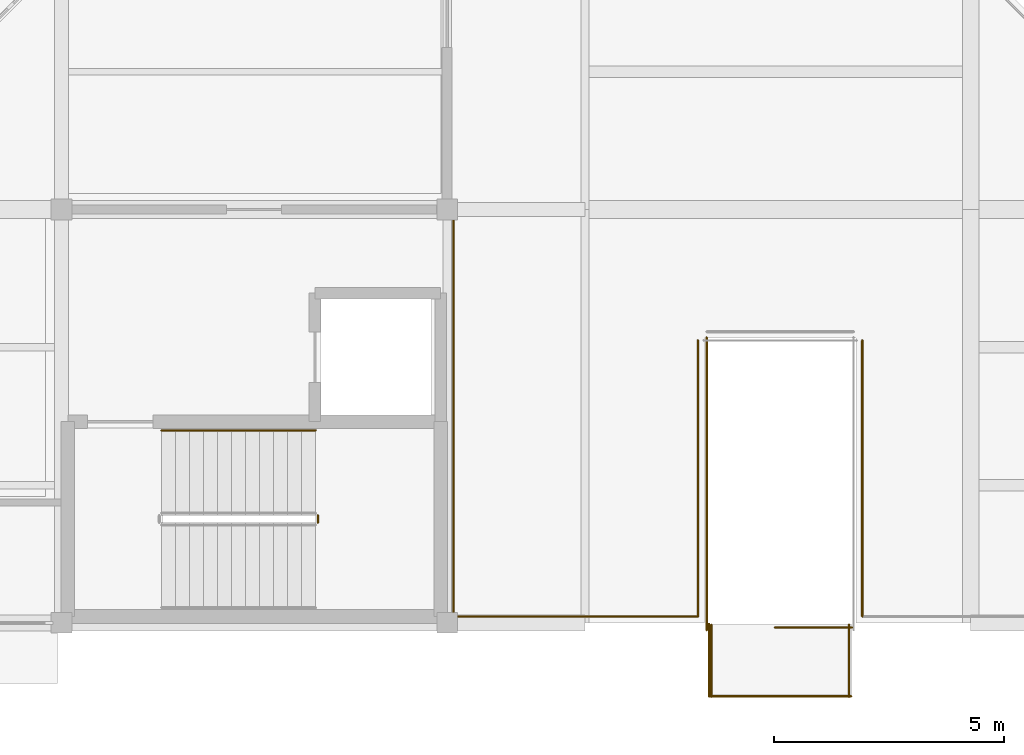
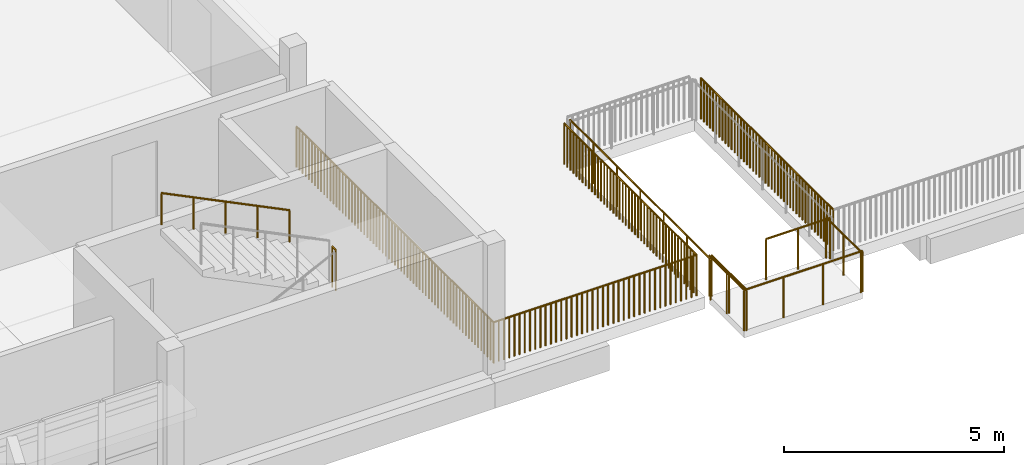
# One storey, part 29 of 42: 11 railings.
"""IFC4 building model written with IfcOpenShell, lengths in metres."""

from ifc_helpers import new_model, si_unit, direction, frame, origin, origin_2d, place, context, subcontext, project, spatial, circle, extrude, material, type_object, element, save


model = new_model("IFC4")

# Units and contexts
model_context = context("Model", 3, precision=1e-05, world=origin(), true_north=direction((0.0, 1.0)))
body_context = subcontext(model_context, "Body", "Model", "MODEL_VIEW")
ifc_project = project(units=[si_unit("LENGTHUNIT", "METRE"), si_unit("AREAUNIT", "SQUARE_METRE"), si_unit("VOLUMEUNIT", "CUBIC_METRE"), si_unit("PLANEANGLEUNIT", "RADIAN"), si_unit("MASSUNIT", "GRAM", prefix="KILO")], contexts=[model_context])

# Site, building, storey
site_placement = place(None, origin())
site = spatial("IfcSite", under=ifc_project, at=site_placement, CompositionType="ELEMENT")
building_placement = place(site_placement, origin())
building = spatial("IfcBuilding", under=site, at=building_placement, Name="Vanh Quang Courtyard School", CompositionType="ELEMENT")
storey_placement = place(building_placement, frame((0.0, 0.0, 15.0)))
storey = spatial("IfcBuildingStorey", under=building, at=storey_placement, Name="L04", CompositionType="ELEMENT", Elevation=15.0)

# Railings
ifc_material_1 = material(Name="Galvanised painted steel EN 10025-2 S355J2", Category="steel")
railing_type_1 = type_object("IfcRailingType", Name="RAIL-GUARD-1150", PredefinedType="BALUSTRADE", material=ifc_material_1)
railing_1_placement = place(storey_placement, frame((74.5400390625, 32.5400390625, 0.0)))
element("IfcRailing", 1, at=railing_1_placement, inside=storey, type_object=railing_type_1, Name="Railing GR-01 (L04)", PredefinedType="BALUSTRADE", context=body_context, shape_type="SweptSolid", body=[
    extrude(circle(Radius=0.02392578125, at=origin_2d()), frame((0.0, 0.0, 1.1259765625), z_axis=(0.0, 1.0, 0.0), x_axis=(-1.0, 0.0, 0.0)), (0.0, 0.0, 1.0), 8.940185546875),
    extrude(circle(Radius=0.02099609375, at=origin_2d()), origin(), (0.0, 0.0, 1.0), 1.101806640625),
    extrude(circle(Radius=0.02099609375, at=origin_2d()), frame((0.0, 0.1396484375, 0.0)), (0.0, 0.0, 1.0), 1.101806640625),
    extrude(circle(Radius=0.02099609375, at=origin_2d()), frame((0.0, 0.279296875, 0.0)), (0.0, 0.0, 1.0), 1.101806640625),
    extrude(circle(Radius=0.02099609375, at=origin_2d()), frame((0.0, 0.419189453125, 0.0)), (0.0, 0.0, 1.0), 1.101806640625),
    extrude(circle(Radius=0.02099609375, at=origin_2d()), frame((0.0, 0.558837890625, 0.0)), (0.0, 0.0, 1.0), 1.101806640625),
    extrude(circle(Radius=0.02099609375, at=origin_2d()), frame((0.0, 0.698486328125, 0.0)), (0.0, 0.0, 1.0), 1.101806640625),
    extrude(circle(Radius=0.02099609375, at=origin_2d()), frame((0.0, 0.838134765625, 0.0)), (0.0, 0.0, 1.0), 1.101806640625),
    extrude(circle(Radius=0.02099609375, at=origin_2d()), frame((0.0, 0.977783203125, 0.0)), (0.0, 0.0, 1.0), 1.101806640625),
    extrude(circle(Radius=0.02099609375, at=origin_2d()), frame((0.0, 1.117431640625, 0.0)), (0.0, 0.0, 1.0), 1.101806640625),
    extrude(circle(Radius=0.02099609375, at=origin_2d()), frame((0.0, 1.25732421875, 0.0)), (0.0, 0.0, 1.0), 1.101806640625),
    extrude(circle(Radius=0.02099609375, at=origin_2d()), frame((0.0, 1.39697265625, 0.0)), (0.0, 0.0, 1.0), 1.101806640625),
    extrude(circle(Radius=0.02099609375, at=origin_2d()), frame((0.0, 1.53662109375, 0.0)), (0.0, 0.0, 1.0), 1.101806640625),
    extrude(circle(Radius=0.02099609375, at=origin_2d()), frame((0.0, 1.67626953125, 0.0)), (0.0, 0.0, 1.0), 1.101806640625),
    extrude(circle(Radius=0.02099609375, at=origin_2d()), frame((0.0, 1.81591796875, 0.0)), (0.0, 0.0, 1.0), 1.101806640625),
    extrude(circle(Radius=0.02099609375, at=origin_2d()), frame((0.0, 1.95556640625, 0.0)), (0.0, 0.0, 1.0), 1.101806640625),
    extrude(circle(Radius=0.02099609375, at=origin_2d()), frame((0.0, 2.095458984375, 0.0)), (0.0, 0.0, 1.0), 1.101806640625),
    extrude(circle(Radius=0.02099609375, at=origin_2d()), frame((0.0, 2.235107421875, 0.0)), (0.0, 0.0, 1.0), 1.101806640625),
    extrude(circle(Radius=0.02099609375, at=origin_2d()), frame((0.0, 2.374755859375, 0.0)), (0.0, 0.0, 1.0), 1.101806640625),
    extrude(circle(Radius=0.02099609375, at=origin_2d()), frame((0.0, 2.514404296875, 0.0)), (0.0, 0.0, 1.0), 1.101806640625),
    extrude(circle(Radius=0.02099609375, at=origin_2d()), frame((0.0, 2.654052734375, 0.0)), (0.0, 0.0, 1.0), 1.101806640625),
    extrude(circle(Radius=0.02099609375, at=origin_2d()), frame((0.0, 2.793701171875, 0.0)), (0.0, 0.0, 1.0), 1.101806640625),
    extrude(circle(Radius=0.02099609375, at=origin_2d()), frame((0.0, 2.93359375, 0.0)), (0.0, 0.0, 1.0), 1.101806640625),
    extrude(circle(Radius=0.02099609375, at=origin_2d()), frame((0.0, 3.0732421875, 0.0)), (0.0, 0.0, 1.0), 1.101806640625),
    extrude(circle(Radius=0.02099609375, at=origin_2d()), frame((0.0, 3.212890625, 0.0)), (0.0, 0.0, 1.0), 1.101806640625),
    extrude(circle(Radius=0.02099609375, at=origin_2d()), frame((0.0, 3.3525390625, 0.0)), (0.0, 0.0, 1.0), 1.101806640625),
    extrude(circle(Radius=0.02099609375, at=origin_2d()), frame((0.0, 3.4921875, 0.0)), (0.0, 0.0, 1.0), 1.101806640625),
    extrude(circle(Radius=0.02099609375, at=origin_2d()), frame((0.0, 3.6318359375, 0.0)), (0.0, 0.0, 1.0), 1.101806640625),
    extrude(circle(Radius=0.02099609375, at=origin_2d()), frame((0.0, 3.771728515625, 0.0)), (0.0, 0.0, 1.0), 1.101806640625),
    extrude(circle(Radius=0.02099609375, at=origin_2d()), frame((0.0, 3.911376953125, 0.0)), (0.0, 0.0, 1.0), 1.101806640625),
    extrude(circle(Radius=0.02099609375, at=origin_2d()), frame((0.0, 4.051025390625, 0.0)), (0.0, 0.0, 1.0), 1.101806640625),
    extrude(circle(Radius=0.02099609375, at=origin_2d()), frame((0.0, 4.190673828125, 0.0)), (0.0, 0.0, 1.0), 1.101806640625),
    extrude(circle(Radius=0.02099609375, at=origin_2d()), frame((0.0, 4.330322265625, 0.0)), (0.0, 0.0, 1.0), 1.101806640625),
    extrude(circle(Radius=0.02099609375, at=origin_2d()), frame((0.0, 4.47021484375, 0.0)), (0.0, 0.0, 1.0), 1.101806640625),
    extrude(circle(Radius=0.02099609375, at=origin_2d()), frame((0.0, 4.60986328125, 0.0)), (0.0, 0.0, 1.0), 1.101806640625),
    extrude(circle(Radius=0.02099609375, at=origin_2d()), frame((0.0, 4.74951171875, 0.0)), (0.0, 0.0, 1.0), 1.101806640625),
    extrude(circle(Radius=0.02099609375, at=origin_2d()), frame((0.0, 4.88916015625, 0.0)), (0.0, 0.0, 1.0), 1.101806640625),
    extrude(circle(Radius=0.02099609375, at=origin_2d()), frame((0.0, 5.02880859375, 0.0)), (0.0, 0.0, 1.0), 1.101806640625),
    extrude(circle(Radius=0.02099609375, at=origin_2d()), frame((0.0, 5.16845703125, 0.0)), (0.0, 0.0, 1.0), 1.101806640625),
    extrude(circle(Radius=0.02099609375, at=origin_2d()), frame((0.0, 5.308349609375, 0.0)), (0.0, 0.0, 1.0), 1.101806640625),
    extrude(circle(Radius=0.02099609375, at=origin_2d()), frame((0.0, 5.447998046875, 0.0)), (0.0, 0.0, 1.0), 1.101806640625),
    extrude(circle(Radius=0.02099609375, at=origin_2d()), frame((0.0, 5.587646484375, 0.0)), (0.0, 0.0, 1.0), 1.101806640625),
    extrude(circle(Radius=0.02099609375, at=origin_2d()), frame((0.0, 5.727294921875, 0.0)), (0.0, 0.0, 1.0), 1.101806640625),
    extrude(circle(Radius=0.02099609375, at=origin_2d()), frame((0.0, 5.866943359375, 0.0)), (0.0, 0.0, 1.0), 1.101806640625),
    extrude(circle(Radius=0.02099609375, at=origin_2d()), frame((0.0, 6.006591796875, 0.0)), (0.0, 0.0, 1.0), 1.101806640625),
    extrude(circle(Radius=0.02099609375, at=origin_2d()), frame((0.0, 6.146484375, 0.0)), (0.0, 0.0, 1.0), 1.101806640625),
    extrude(circle(Radius=0.02099609375, at=origin_2d()), frame((0.0, 6.2861328125, 0.0)), (0.0, 0.0, 1.0), 1.101806640625),
    extrude(circle(Radius=0.02099609375, at=origin_2d()), frame((0.0, 6.42578125, 0.0)), (0.0, 0.0, 1.0), 1.101806640625),
    extrude(circle(Radius=0.02099609375, at=origin_2d()), frame((0.0, 6.5654296875, 0.0)), (0.0, 0.0, 1.0), 1.101806640625),
    extrude(circle(Radius=0.02099609375, at=origin_2d()), frame((0.0, 6.705078125, 0.0)), (0.0, 0.0, 1.0), 1.101806640625),
    extrude(circle(Radius=0.02099609375, at=origin_2d()), frame((0.0, 6.8447265625, 0.0)), (0.0, 0.0, 1.0), 1.101806640625),
    extrude(circle(Radius=0.02099609375, at=origin_2d()), frame((0.0, 6.984619140625, 0.0)), (0.0, 0.0, 1.0), 1.101806640625),
    extrude(circle(Radius=0.02099609375, at=origin_2d()), frame((0.0, 7.124267578125, 0.0)), (0.0, 0.0, 1.0), 1.101806640625),
    extrude(circle(Radius=0.02099609375, at=origin_2d()), frame((0.0, 7.263916015625, 0.0)), (0.0, 0.0, 1.0), 1.101806640625),
    extrude(circle(Radius=0.02099609375, at=origin_2d()), frame((0.0, 7.403564453125, 0.0)), (0.0, 0.0, 1.0), 1.101806640625),
    extrude(circle(Radius=0.02099609375, at=origin_2d()), frame((0.0, 7.543212890625, 0.0)), (0.0, 0.0, 1.0), 1.101806640625),
    extrude(circle(Radius=0.02099609375, at=origin_2d()), frame((0.0, 7.682861328125, 0.0)), (0.0, 0.0, 1.0), 1.101806640625),
    extrude(circle(Radius=0.02099609375, at=origin_2d()), frame((0.0, 7.82275390625, 0.0)), (0.0, 0.0, 1.0), 1.101806640625),
    extrude(circle(Radius=0.02099609375, at=origin_2d()), frame((0.0, 7.96240234375, 0.0)), (0.0, 0.0, 1.0), 1.101806640625),
    extrude(circle(Radius=0.02099609375, at=origin_2d()), frame((0.0, 8.10205078125, 0.0)), (0.0, 0.0, 1.0), 1.101806640625),
    extrude(circle(Radius=0.02099609375, at=origin_2d()), frame((0.0, 8.24169921875, 0.0)), (0.0, 0.0, 1.0), 1.101806640625),
    extrude(circle(Radius=0.02099609375, at=origin_2d()), frame((0.0, 8.38134765625, 0.0)), (0.0, 0.0, 1.0), 1.101806640625),
    extrude(circle(Radius=0.02099609375, at=origin_2d()), frame((0.0, 8.52099609375, 0.0)), (0.0, 0.0, 1.0), 1.101806640625),
    extrude(circle(Radius=0.02099609375, at=origin_2d()), frame((0.0, 8.660888671875, 0.0)), (0.0, 0.0, 1.0), 1.101806640625),
    extrude(circle(Radius=0.02099609375, at=origin_2d()), frame((0.0, 8.800537109375, 0.0)), (0.0, 0.0, 1.0), 1.101806640625),
    extrude(circle(Radius=0.02099609375, at=origin_2d()), frame((0.0, 8.940185546875, 0.0)), (0.0, 0.0, 1.0), 1.101806640625),
])
railing_2_placement = place(storey_placement, frame((83.43994140625, 32.5400390625, 0.0)))
element("IfcRailing", 2, at=railing_2_placement, inside=storey, type_object=railing_type_1, Name="Railing GR-01 (L04)", PredefinedType="BALUSTRADE", context=body_context, shape_type="SweptSolid", body=[
    extrude(circle(Radius=0.02392578125, at=origin_2d()), frame((0.0, 0.0, 1.1259765625), z_axis=(0.0, 1.0, 0.0), x_axis=(-1.0, 0.0, 0.0)), (0.0, 0.0, 1.0), 6.010009765625),
    extrude(circle(Radius=0.02099609375, at=origin_2d()), origin(), (0.0, 0.0, 1.0), 1.101806640625),
    extrude(circle(Radius=0.02099609375, at=origin_2d()), frame((0.0, 0.1396484375, 0.0)), (0.0, 0.0, 1.0), 1.101806640625),
    extrude(circle(Radius=0.02099609375, at=origin_2d()), frame((0.0, 0.279541015625, 0.0)), (0.0, 0.0, 1.0), 1.101806640625),
    extrude(circle(Radius=0.02099609375, at=origin_2d()), frame((0.0, 0.419189453125, 0.0)), (0.0, 0.0, 1.0), 1.101806640625),
    extrude(circle(Radius=0.02099609375, at=origin_2d()), frame((0.0, 0.55908203125, 0.0)), (0.0, 0.0, 1.0), 1.101806640625),
    extrude(circle(Radius=0.02099609375, at=origin_2d()), frame((0.0, 0.69873046875, 0.0)), (0.0, 0.0, 1.0), 1.101806640625),
    extrude(circle(Radius=0.02099609375, at=origin_2d()), frame((0.0, 0.838623046875, 0.0)), (0.0, 0.0, 1.0), 1.101806640625),
    extrude(circle(Radius=0.02099609375, at=origin_2d()), frame((0.0, 0.978271484375, 0.0)), (0.0, 0.0, 1.0), 1.101806640625),
    extrude(circle(Radius=0.02099609375, at=origin_2d()), frame((0.0, 1.1181640625, 0.0)), (0.0, 0.0, 1.0), 1.101806640625),
    extrude(circle(Radius=0.02099609375, at=origin_2d()), frame((0.0, 1.2578125, 0.0)), (0.0, 0.0, 1.0), 1.101806640625),
    extrude(circle(Radius=0.02099609375, at=origin_2d()), frame((0.0, 1.397705078125, 0.0)), (0.0, 0.0, 1.0), 1.101806640625),
    extrude(circle(Radius=0.02099609375, at=origin_2d()), frame((0.0, 1.537353515625, 0.0)), (0.0, 0.0, 1.0), 1.101806640625),
    extrude(circle(Radius=0.02099609375, at=origin_2d()), frame((0.0, 1.67724609375, 0.0)), (0.0, 0.0, 1.0), 1.101806640625),
    extrude(circle(Radius=0.02099609375, at=origin_2d()), frame((0.0, 1.81689453125, 0.0)), (0.0, 0.0, 1.0), 1.101806640625),
    extrude(circle(Radius=0.02099609375, at=origin_2d()), frame((0.0, 1.956787109375, 0.0)), (0.0, 0.0, 1.0), 1.101806640625),
    extrude(circle(Radius=0.02099609375, at=origin_2d()), frame((0.0, 2.096435546875, 0.0)), (0.0, 0.0, 1.0), 1.101806640625),
    extrude(circle(Radius=0.02099609375, at=origin_2d()), frame((0.0, 2.236328125, 0.0)), (0.0, 0.0, 1.0), 1.101806640625),
    extrude(circle(Radius=0.02099609375, at=origin_2d()), frame((0.0, 2.3759765625, 0.0)), (0.0, 0.0, 1.0), 1.101806640625),
    extrude(circle(Radius=0.02099609375, at=origin_2d()), frame((0.0, 2.515869140625, 0.0)), (0.0, 0.0, 1.0), 1.101806640625),
    extrude(circle(Radius=0.02099609375, at=origin_2d()), frame((0.0, 2.655517578125, 0.0)), (0.0, 0.0, 1.0), 1.101806640625),
    extrude(circle(Radius=0.02099609375, at=origin_2d()), frame((0.0, 2.79541015625, 0.0)), (0.0, 0.0, 1.0), 1.101806640625),
    extrude(circle(Radius=0.02099609375, at=origin_2d()), frame((0.0, 2.93505859375, 0.0)), (0.0, 0.0, 1.0), 1.101806640625),
    extrude(circle(Radius=0.02099609375, at=origin_2d()), frame((0.0, 3.074951171875, 0.0)), (0.0, 0.0, 1.0), 1.101806640625),
    extrude(circle(Radius=0.02099609375, at=origin_2d()), frame((0.0, 3.214599609375, 0.0)), (0.0, 0.0, 1.0), 1.101806640625),
    extrude(circle(Radius=0.02099609375, at=origin_2d()), frame((0.0, 3.3544921875, 0.0)), (0.0, 0.0, 1.0), 1.101806640625),
    extrude(circle(Radius=0.02099609375, at=origin_2d()), frame((0.0, 3.494140625, 0.0)), (0.0, 0.0, 1.0), 1.101806640625),
    extrude(circle(Radius=0.02099609375, at=origin_2d()), frame((0.0, 3.634033203125, 0.0)), (0.0, 0.0, 1.0), 1.101806640625),
    extrude(circle(Radius=0.02099609375, at=origin_2d()), frame((0.0, 3.773681640625, 0.0)), (0.0, 0.0, 1.0), 1.101806640625),
    extrude(circle(Radius=0.02099609375, at=origin_2d()), frame((0.0, 3.91357421875, 0.0)), (0.0, 0.0, 1.0), 1.101806640625),
    extrude(circle(Radius=0.02099609375, at=origin_2d()), frame((0.0, 4.05322265625, 0.0)), (0.0, 0.0, 1.0), 1.101806640625),
    extrude(circle(Radius=0.02099609375, at=origin_2d()), frame((0.0, 4.193115234375, 0.0)), (0.0, 0.0, 1.0), 1.101806640625),
    extrude(circle(Radius=0.02099609375, at=origin_2d()), frame((0.0, 4.332763671875, 0.0)), (0.0, 0.0, 1.0), 1.101806640625),
    extrude(circle(Radius=0.02099609375, at=origin_2d()), frame((0.0, 4.47265625, 0.0)), (0.0, 0.0, 1.0), 1.101806640625),
    extrude(circle(Radius=0.02099609375, at=origin_2d()), frame((0.0, 4.6123046875, 0.0)), (0.0, 0.0, 1.0), 1.101806640625),
    extrude(circle(Radius=0.02099609375, at=origin_2d()), frame((0.0, 4.752197265625, 0.0)), (0.0, 0.0, 1.0), 1.101806640625),
    extrude(circle(Radius=0.02099609375, at=origin_2d()), frame((0.0, 4.891845703125, 0.0)), (0.0, 0.0, 1.0), 1.101806640625),
    extrude(circle(Radius=0.02099609375, at=origin_2d()), frame((0.0, 5.03173828125, 0.0)), (0.0, 0.0, 1.0), 1.101806640625),
    extrude(circle(Radius=0.02099609375, at=origin_2d()), frame((0.0, 5.17138671875, 0.0)), (0.0, 0.0, 1.0), 1.101806640625),
    extrude(circle(Radius=0.02099609375, at=origin_2d()), frame((0.0, 5.311279296875, 0.0)), (0.0, 0.0, 1.0), 1.101806640625),
    extrude(circle(Radius=0.02099609375, at=origin_2d()), frame((0.0, 5.450927734375, 0.0)), (0.0, 0.0, 1.0), 1.101806640625),
    extrude(circle(Radius=0.02099609375, at=origin_2d()), frame((0.0, 5.5908203125, 0.0)), (0.0, 0.0, 1.0), 1.101806640625),
    extrude(circle(Radius=0.02099609375, at=origin_2d()), frame((0.0, 5.73046875, 0.0)), (0.0, 0.0, 1.0), 1.101806640625),
    extrude(circle(Radius=0.02099609375, at=origin_2d()), frame((0.0, 5.870361328125, 0.0)), (0.0, 0.0, 1.0), 1.101806640625),
    extrude(circle(Radius=0.02099609375, at=origin_2d()), frame((0.0, 6.010009765625, 0.0)), (0.0, 0.0, 1.0), 1.101806640625),
])
railing_3_placement = place(storey_placement, frame((79.860107421875, 38.550048828125, 0.0)))
element("IfcRailing", 3, at=railing_3_placement, inside=storey, type_object=railing_type_1, Name="Railing GR-01 (L04)", PredefinedType="BALUSTRADE", context=body_context, shape_type="SweptSolid", body=[
    extrude(circle(Radius=0.02392578125, at=origin_2d()), frame((0.0, 0.0, 1.1259765625), z_axis=(0.0, -1.0, 0.0), x_axis=(1.0, 0.0, 0.0)), (0.0, 0.0, 1.0), 6.010009765625),
    extrude(circle(Radius=0.02099609375, at=origin_2d()), origin(), (0.0, 0.0, 1.0), 1.101806640625),
    extrude(circle(Radius=0.02099609375, at=origin_2d()), frame((0.0, -0.1396484375, 0.0)), (0.0, 0.0, 1.0), 1.101806640625),
    extrude(circle(Radius=0.02099609375, at=origin_2d()), frame((0.0, -0.279541015625, 0.0)), (0.0, 0.0, 1.0), 1.101806640625),
    extrude(circle(Radius=0.02099609375, at=origin_2d()), frame((0.0, -0.419189453125, 0.0)), (0.0, 0.0, 1.0), 1.101806640625),
    extrude(circle(Radius=0.02099609375, at=origin_2d()), frame((0.0, -0.55908203125, 0.0)), (0.0, 0.0, 1.0), 1.101806640625),
    extrude(circle(Radius=0.02099609375, at=origin_2d()), frame((0.0, -0.69873046875, 0.0)), (0.0, 0.0, 1.0), 1.101806640625),
    extrude(circle(Radius=0.02099609375, at=origin_2d()), frame((0.0, -0.838623046875, 0.0)), (0.0, 0.0, 1.0), 1.101806640625),
    extrude(circle(Radius=0.02099609375, at=origin_2d()), frame((0.0, -0.978271484375, 0.0)), (0.0, 0.0, 1.0), 1.101806640625),
    extrude(circle(Radius=0.02099609375, at=origin_2d()), frame((0.0, -1.1181640625, 0.0)), (0.0, 0.0, 1.0), 1.101806640625),
    extrude(circle(Radius=0.02099609375, at=origin_2d()), frame((0.0, -1.2578125, 0.0)), (0.0, 0.0, 1.0), 1.101806640625),
    extrude(circle(Radius=0.02099609375, at=origin_2d()), frame((0.0, -1.397705078125, 0.0)), (0.0, 0.0, 1.0), 1.101806640625),
    extrude(circle(Radius=0.02099609375, at=origin_2d()), frame((0.0, -1.537353515625, 0.0)), (0.0, 0.0, 1.0), 1.101806640625),
    extrude(circle(Radius=0.02099609375, at=origin_2d()), frame((0.0, -1.67724609375, 0.0)), (0.0, 0.0, 1.0), 1.101806640625),
    extrude(circle(Radius=0.02099609375, at=origin_2d()), frame((0.0, -1.81689453125, 0.0)), (0.0, 0.0, 1.0), 1.101806640625),
    extrude(circle(Radius=0.02099609375, at=origin_2d()), frame((0.0, -1.956787109375, 0.0)), (0.0, 0.0, 1.0), 1.101806640625),
    extrude(circle(Radius=0.02099609375, at=origin_2d()), frame((0.0, -2.096435546875, 0.0)), (0.0, 0.0, 1.0), 1.101806640625),
    extrude(circle(Radius=0.02099609375, at=origin_2d()), frame((0.0, -2.236328125, 0.0)), (0.0, 0.0, 1.0), 1.101806640625),
    extrude(circle(Radius=0.02099609375, at=origin_2d()), frame((0.0, -2.3759765625, 0.0)), (0.0, 0.0, 1.0), 1.101806640625),
    extrude(circle(Radius=0.02099609375, at=origin_2d()), frame((0.0, -2.515869140625, 0.0)), (0.0, 0.0, 1.0), 1.101806640625),
    extrude(circle(Radius=0.02099609375, at=origin_2d()), frame((0.0, -2.655517578125, 0.0)), (0.0, 0.0, 1.0), 1.101806640625),
    extrude(circle(Radius=0.02099609375, at=origin_2d()), frame((0.0, -2.79541015625, 0.0)), (0.0, 0.0, 1.0), 1.101806640625),
    extrude(circle(Radius=0.02099609375, at=origin_2d()), frame((0.0, -2.93505859375, 0.0)), (0.0, 0.0, 1.0), 1.101806640625),
    extrude(circle(Radius=0.02099609375, at=origin_2d()), frame((0.0, -3.074951171875, 0.0)), (0.0, 0.0, 1.0), 1.101806640625),
    extrude(circle(Radius=0.02099609375, at=origin_2d()), frame((0.0, -3.214599609375, 0.0)), (0.0, 0.0, 1.0), 1.101806640625),
    extrude(circle(Radius=0.02099609375, at=origin_2d()), frame((0.0, -3.3544921875, 0.0)), (0.0, 0.0, 1.0), 1.101806640625),
    extrude(circle(Radius=0.02099609375, at=origin_2d()), frame((0.0, -3.494140625, 0.0)), (0.0, 0.0, 1.0), 1.101806640625),
    extrude(circle(Radius=0.02099609375, at=origin_2d()), frame((0.0, -3.634033203125, 0.0)), (0.0, 0.0, 1.0), 1.101806640625),
    extrude(circle(Radius=0.02099609375, at=origin_2d()), frame((0.0, -3.773681640625, 0.0)), (0.0, 0.0, 1.0), 1.101806640625),
    extrude(circle(Radius=0.02099609375, at=origin_2d()), frame((0.0, -3.91357421875, 0.0)), (0.0, 0.0, 1.0), 1.101806640625),
    extrude(circle(Radius=0.02099609375, at=origin_2d()), frame((0.0, -4.05322265625, 0.0)), (0.0, 0.0, 1.0), 1.101806640625),
    extrude(circle(Radius=0.02099609375, at=origin_2d()), frame((0.0, -4.193115234375, 0.0)), (0.0, 0.0, 1.0), 1.101806640625),
    extrude(circle(Radius=0.02099609375, at=origin_2d()), frame((0.0, -4.332763671875, 0.0)), (0.0, 0.0, 1.0), 1.101806640625),
    extrude(circle(Radius=0.02099609375, at=origin_2d()), frame((0.0, -4.47265625, 0.0)), (0.0, 0.0, 1.0), 1.101806640625),
    extrude(circle(Radius=0.02099609375, at=origin_2d()), frame((0.0, -4.6123046875, 0.0)), (0.0, 0.0, 1.0), 1.101806640625),
    extrude(circle(Radius=0.02099609375, at=origin_2d()), frame((0.0, -4.752197265625, 0.0)), (0.0, 0.0, 1.0), 1.101806640625),
    extrude(circle(Radius=0.02099609375, at=origin_2d()), frame((0.0, -4.891845703125, 0.0)), (0.0, 0.0, 1.0), 1.101806640625),
    extrude(circle(Radius=0.02099609375, at=origin_2d()), frame((0.0, -5.03173828125, 0.0)), (0.0, 0.0, 1.0), 1.101806640625),
    extrude(circle(Radius=0.02099609375, at=origin_2d()), frame((0.0, -5.17138671875, 0.0)), (0.0, 0.0, 1.0), 1.101806640625),
    extrude(circle(Radius=0.02099609375, at=origin_2d()), frame((0.0, -5.311279296875, 0.0)), (0.0, 0.0, 1.0), 1.101806640625),
    extrude(circle(Radius=0.02099609375, at=origin_2d()), frame((0.0, -5.450927734375, 0.0)), (0.0, 0.0, 1.0), 1.101806640625),
    extrude(circle(Radius=0.02099609375, at=origin_2d()), frame((0.0, -5.5908203125, 0.0)), (0.0, 0.0, 1.0), 1.101806640625),
    extrude(circle(Radius=0.02099609375, at=origin_2d()), frame((0.0, -5.73046875, 0.0)), (0.0, 0.0, 1.0), 1.101806640625),
    extrude(circle(Radius=0.02099609375, at=origin_2d()), frame((0.0, -5.870361328125, 0.0)), (0.0, 0.0, 1.0), 1.101806640625),
    extrude(circle(Radius=0.02099609375, at=origin_2d()), frame((0.0, -6.010009765625, 0.0)), (0.0, 0.0, 1.0), 1.101806640625),
])
railing_4_placement = place(storey_placement, frame((79.860107421875, 32.5400390625, 0.0)))
element("IfcRailing", 4, at=railing_4_placement, inside=storey, type_object=railing_type_1, Name="Railing GR-01 (L04)", PredefinedType="BALUSTRADE", context=body_context, shape_type="SweptSolid", body=[
    extrude(circle(Radius=0.02392578125, at=origin_2d()), frame((0.0, 0.0, 1.1259765625), z_axis=(-1.0, 0.0, 0.0), x_axis=(0.0, -1.0, 0.0)), (0.0, 0.0, 1.0), 5.320068359375),
    extrude(circle(Radius=0.02099609375, at=origin_2d()), origin(), (0.0, 0.0, 1.0), 1.101806640625),
    extrude(circle(Radius=0.02099609375, at=origin_2d()), frame((-0.136474609375, 0.0, 0.0)), (0.0, 0.0, 1.0), 1.101806640625),
    extrude(circle(Radius=0.02099609375, at=origin_2d()), frame((-0.272705078125, 0.0, 0.0)), (0.0, 0.0, 1.0), 1.101806640625),
    extrude(circle(Radius=0.02099609375, at=origin_2d()), frame((-0.4091796875, 0.0, 0.0)), (0.0, 0.0, 1.0), 1.101806640625),
    extrude(circle(Radius=0.02099609375, at=origin_2d()), frame((-0.545654296875, 0.0, 0.0)), (0.0, 0.0, 1.0), 1.101806640625),
    extrude(circle(Radius=0.02099609375, at=origin_2d()), frame((-0.68212890625, 0.0, 0.0)), (0.0, 0.0, 1.0), 1.101806640625),
    extrude(circle(Radius=0.02099609375, at=origin_2d()), frame((-0.818359375, 0.0, 0.0)), (0.0, 0.0, 1.0), 1.101806640625),
    extrude(circle(Radius=0.02099609375, at=origin_2d()), frame((-0.954833984375, 0.0, 0.0)), (0.0, 0.0, 1.0), 1.101806640625),
    extrude(circle(Radius=0.02099609375, at=origin_2d()), frame((-1.09130859375, 0.0, 0.0)), (0.0, 0.0, 1.0), 1.101806640625),
    extrude(circle(Radius=0.02099609375, at=origin_2d()), frame((-1.227783203125, 0.0, 0.0)), (0.0, 0.0, 1.0), 1.101806640625),
    extrude(circle(Radius=0.02099609375, at=origin_2d()), frame((-1.364013671875, 0.0, 0.0)), (0.0, 0.0, 1.0), 1.101806640625),
    extrude(circle(Radius=0.02099609375, at=origin_2d()), frame((-1.50048828125, 0.0, 0.0)), (0.0, 0.0, 1.0), 1.101806640625),
    extrude(circle(Radius=0.02099609375, at=origin_2d()), frame((-1.636962890625, 0.0, 0.0)), (0.0, 0.0, 1.0), 1.101806640625),
    extrude(circle(Radius=0.02099609375, at=origin_2d()), frame((-1.7734375, 0.0, 0.0)), (0.0, 0.0, 1.0), 1.101806640625),
    extrude(circle(Radius=0.02099609375, at=origin_2d()), frame((-1.90966796875, 0.0, 0.0)), (0.0, 0.0, 1.0), 1.101806640625),
    extrude(circle(Radius=0.02099609375, at=origin_2d()), frame((-2.046142578125, 0.0, 0.0)), (0.0, 0.0, 1.0), 1.101806640625),
    extrude(circle(Radius=0.02099609375, at=origin_2d()), frame((-2.1826171875, 0.0, 0.0)), (0.0, 0.0, 1.0), 1.101806640625),
    extrude(circle(Radius=0.02099609375, at=origin_2d()), frame((-2.319091796875, 0.0, 0.0)), (0.0, 0.0, 1.0), 1.101806640625),
    extrude(circle(Radius=0.02099609375, at=origin_2d()), frame((-2.455322265625, 0.0, 0.0)), (0.0, 0.0, 1.0), 1.101806640625),
    extrude(circle(Radius=0.02099609375, at=origin_2d()), frame((-2.591796875, 0.0, 0.0)), (0.0, 0.0, 1.0), 1.101806640625),
    extrude(circle(Radius=0.02099609375, at=origin_2d()), frame((-2.728271484375, 0.0, 0.0)), (0.0, 0.0, 1.0), 1.101806640625),
    extrude(circle(Radius=0.02099609375, at=origin_2d()), frame((-2.86474609375, 0.0, 0.0)), (0.0, 0.0, 1.0), 1.101806640625),
    extrude(circle(Radius=0.02099609375, at=origin_2d()), frame((-3.0009765625, 0.0, 0.0)), (0.0, 0.0, 1.0), 1.101806640625),
    extrude(circle(Radius=0.02099609375, at=origin_2d()), frame((-3.137451171875, 0.0, 0.0)), (0.0, 0.0, 1.0), 1.101806640625),
    extrude(circle(Radius=0.02099609375, at=origin_2d()), frame((-3.27392578125, 0.0, 0.0)), (0.0, 0.0, 1.0), 1.101806640625),
    extrude(circle(Radius=0.02099609375, at=origin_2d()), frame((-3.410400390625, 0.0, 0.0)), (0.0, 0.0, 1.0), 1.101806640625),
    extrude(circle(Radius=0.02099609375, at=origin_2d()), frame((-3.546630859375, 0.0, 0.0)), (0.0, 0.0, 1.0), 1.101806640625),
    extrude(circle(Radius=0.02099609375, at=origin_2d()), frame((-3.68310546875, 0.0, 0.0)), (0.0, 0.0, 1.0), 1.101806640625),
    extrude(circle(Radius=0.02099609375, at=origin_2d()), frame((-3.819580078125, 0.0, 0.0)), (0.0, 0.0, 1.0), 1.101806640625),
    extrude(circle(Radius=0.02099609375, at=origin_2d()), frame((-3.9560546875, 0.0, 0.0)), (0.0, 0.0, 1.0), 1.101806640625),
    extrude(circle(Radius=0.02099609375, at=origin_2d()), frame((-4.09228515625, 0.0, 0.0)), (0.0, 0.0, 1.0), 1.101806640625),
    extrude(circle(Radius=0.02099609375, at=origin_2d()), frame((-4.228759765625, 0.0, 0.0)), (0.0, 0.0, 1.0), 1.101806640625),
    extrude(circle(Radius=0.02099609375, at=origin_2d()), frame((-4.365234375, 0.0, 0.0)), (0.0, 0.0, 1.0), 1.101806640625),
    extrude(circle(Radius=0.02099609375, at=origin_2d()), frame((-4.501708984375, 0.0, 0.0)), (0.0, 0.0, 1.0), 1.101806640625),
    extrude(circle(Radius=0.02099609375, at=origin_2d()), frame((-4.637939453125, 0.0, 0.0)), (0.0, 0.0, 1.0), 1.101806640625),
    extrude(circle(Radius=0.02099609375, at=origin_2d()), frame((-4.7744140625, 0.0, 0.0)), (0.0, 0.0, 1.0), 1.101806640625),
    extrude(circle(Radius=0.02099609375, at=origin_2d()), frame((-4.910888671875, 0.0, 0.0)), (0.0, 0.0, 1.0), 1.101806640625),
    extrude(circle(Radius=0.02099609375, at=origin_2d()), frame((-5.04736328125, 0.0, 0.0)), (0.0, 0.0, 1.0), 1.101806640625),
    extrude(circle(Radius=0.02099609375, at=origin_2d()), frame((-5.18359375, 0.0, 0.0)), (0.0, 0.0, 1.0), 1.101806640625),
    extrude(circle(Radius=0.02099609375, at=origin_2d()), frame((-5.320068359375, 0.0, 0.0)), (0.0, 0.0, 1.0), 1.101806640625),
])
railing_5_placement = place(storey_placement, frame((71.5849609375, 34.580078125, 1.800048828125)))
element("IfcRailing", 5, at=railing_5_placement, inside=storey, type_object=railing_type_1, Name="L04 ST-04 stair guard 2", PredefinedType="BALUSTRADE", context=body_context, shape_type="SweptSolid", body=[
    extrude(circle(Radius=0.02392578125, at=origin_2d()), frame((0.0, 0.0, 1.1259765625), z_axis=(0.0, 1.0, 0.0), x_axis=(-1.0, 0.0, 0.0)), (0.0, 0.0, 1.0), 0.159912109375),
    extrude(circle(Radius=0.02099609375, at=origin_2d()), origin(), (0.0, 0.0, 1.0), 1.101806640625),
    extrude(circle(Radius=0.02099609375, at=origin_2d()), frame((0.0, 0.159912109375, 0.0)), (0.0, 0.0, 1.0), 1.101806640625),
])
railing_6_placement = place(storey_placement, frame((83.2119140625, 32.300048828125, 0.0)))
element("IfcRailing", 6, at=railing_6_placement, inside=storey, type_object=railing_type_1, Name="L04 ST-T4 top well guard 1", PredefinedType="BALUSTRADE", context=body_context, shape_type="SweptSolid", body=[
    extrude(circle(Radius=0.02392578125, at=origin_2d()), frame((0.0, 0.0, 1.1259765625), z_axis=(-1.0, 0.0, 0.0), x_axis=(0.0, -1.0, 0.0)), (0.0, 0.0, 1.0), 1.673828125),
    extrude(circle(Radius=0.02099609375, at=origin_2d()), origin(), (0.0, 0.0, 1.0), 1.101806640625),
    extrude(circle(Radius=0.02099609375, at=origin_2d()), frame((-0.8369140625, 0.0, 0.0)), (0.0, 0.0, 1.0), 1.101806640625),
    extrude(circle(Radius=0.02099609375, at=origin_2d()), frame((-1.673828125, 0.0, 0.0)), (0.0, 0.0, 1.0), 1.101806640625),
])
railing_7_placement = place(storey_placement, frame((80.050048828125, 32.238037109375, 0.0)))
element("IfcRailing", 7, at=railing_7_placement, inside=storey, type_object=railing_type_1, Name="L04 ST-T4 top well guard 3", PredefinedType="BALUSTRADE", context=body_context, shape_type="SweptSolid", body=[
    extrude(circle(Radius=0.02392578125, at=origin_2d()), frame((0.0, 0.0, 1.1259765625), z_axis=(0.0, 1.0, 0.0), x_axis=(-1.0, 0.0, 0.0)), (0.0, 0.0, 1.0), 6.3740234375),
    extrude(circle(Radius=0.02099609375, at=origin_2d()), origin(), (0.0, 0.0, 1.0), 1.101806640625),
    extrude(circle(Radius=0.02099609375, at=origin_2d()), frame((0.0, 1.062255859375, 0.0)), (0.0, 0.0, 1.0), 1.101806640625),
    extrude(circle(Radius=0.02099609375, at=origin_2d()), frame((0.0, 2.124755859375, 0.0)), (0.0, 0.0, 1.0), 1.101806640625),
    extrude(circle(Radius=0.02099609375, at=origin_2d()), frame((0.0, 3.18701171875, 0.0)), (0.0, 0.0, 1.0), 1.101806640625),
    extrude(circle(Radius=0.02099609375, at=origin_2d()), frame((0.0, 4.249267578125, 0.0)), (0.0, 0.0, 1.0), 1.101806640625),
    extrude(circle(Radius=0.02099609375, at=origin_2d()), frame((0.0, 5.311767578125, 0.0)), (0.0, 0.0, 1.0), 1.101806640625),
    extrude(circle(Radius=0.02099609375, at=origin_2d()), frame((0.0, 6.3740234375, 0.0)), (0.0, 0.0, 1.0), 1.101806640625),
])
for number, where, name in (
    (8, (83.14990234375, 30.7880859375, 0.0), "L04 ST-T4 top well guard 5"),
    (9, (80.14990234375, 30.7880859375, 0.0), "L04 ST-T4 top well guard 6"),
):
    element("IfcRailing", number, at=place(storey_placement, frame(where)), inside=storey, type_object=railing_type_1, Name=name, PredefinedType="BALUSTRADE", context=body_context, shape_type="SweptSolid", body=[
        extrude(circle(Radius=0.02392578125, at=origin_2d()), frame((0.0, 0.0, 1.1259765625), z_axis=(0.0, 1.0, 0.0), x_axis=(-1.0, 0.0, 0.0)), (0.0, 0.0, 1.0), 1.573974609375),
        extrude(circle(Radius=0.02099609375, at=origin_2d()), origin(), (0.0, 0.0, 1.0), 1.101806640625),
        extrude(circle(Radius=0.02099609375, at=origin_2d()), frame((0.0, 0.787109375, 0.0)), (0.0, 0.0, 1.0), 1.101806640625),
        extrude(circle(Radius=0.02099609375, at=origin_2d()), frame((0.0, 1.573974609375, 0.0)), (0.0, 0.0, 1.0), 1.101806640625),
    ])
railing_8_placement = place(storey_placement, frame((83.199951171875, 30.800048828125, 0.0)))
element("IfcRailing", 10, at=railing_8_placement, inside=storey, type_object=railing_type_1, Name="Railing GR-01 (L04)", PredefinedType="BALUSTRADE", context=body_context, shape_type="SweptSolid", body=[
    extrude(circle(Radius=0.02392578125, at=origin_2d()), frame((0.0, 0.0, 1.1259765625), z_axis=(-1.0, 0.0, 0.0), x_axis=(0.0, -1.0, 0.0)), (0.0, 0.0, 1.0), 3.099853515625),
    extrude(circle(Radius=0.02392578125, at=origin_2d()), frame((-3.099853515625, 0.0, 1.1259765625), z_axis=(0.0, 1.0, 0.0), x_axis=(-1.0, 0.0, 0.0)), (0.0, 0.0, 1.0), 1.579833984375),
    extrude(circle(Radius=0.02099609375, at=origin_2d()), origin(), (0.0, 0.0, 1.0), 1.101806640625),
    extrude(circle(Radius=0.02099609375, at=origin_2d()), frame((-1.033203125, 0.0, 0.0)), (0.0, 0.0, 1.0), 1.101806640625),
    extrude(circle(Radius=0.02099609375, at=origin_2d()), frame((-2.066650390625, 0.0, 0.0)), (0.0, 0.0, 1.0), 1.101806640625),
    extrude(circle(Radius=0.02099609375, at=origin_2d()), frame((-3.099853515625, 0.0, 0.0)), (0.0, 0.0, 1.0), 1.101806640625),
    extrude(circle(Radius=0.02099609375, at=origin_2d()), frame((-3.099853515625, 0.7900390625, 0.0)), (0.0, 0.0, 1.0), 1.101806640625),
    extrude(circle(Radius=0.02099609375, at=origin_2d()), frame((-3.099853515625, 1.579833984375, 0.0)), (0.0, 0.0, 1.0), 1.101806640625),
])
ifc_material_2 = material(Name="Brushed stainless steel", Category="steel")
railing_type_2 = type_object("IfcRailingType", Name="RAIL-HAND-900", PredefinedType="HANDRAIL", material=ifc_material_2)
railing_9_placement = place(storey_placement, frame((71.534912109375, 36.590087890625, 1.949951171875)))
element("IfcRailing", 11, at=railing_9_placement, inside=storey, type_object=railing_type_2, Name="L04 ST-04 stair handrail 2", PredefinedType="HANDRAIL", context=body_context, shape_type="SweptSolid", body=[
    extrude(circle(Radius=0.02392578125, at=origin_2d()), frame((0.0, 0.0, 0.8759765625), z_axis=(-0.89733343241, 0.0, 0.441353272424), x_axis=(0.0, -1.0, 0.0)), (0.0, 0.0, 1.0), 3.73876953125),
    extrude(circle(Radius=0.02099609375, at=origin_2d()), origin(), (0.0, 0.0, 1.0), 0.851806640625),
    extrude(circle(Radius=0.02099609375, at=origin_2d()), frame((-0.8388671875, 0.0, 0.41259765625)), (0.0, 0.0, 1.0), 0.851806640625),
    extrude(circle(Radius=0.02099609375, at=origin_2d()), frame((-1.677490234375, 0.0, 0.8251953125)), (0.0, 0.0, 1.0), 0.851806640625),
    extrude(circle(Radius=0.02099609375, at=origin_2d()), frame((-2.51611328125, 0.0, 1.237548828125)), (0.0, 0.0, 1.0), 0.851806640625),
    extrude(circle(Radius=0.02099609375, at=origin_2d()), frame((-3.35498046875, 0.0, 1.650146484375)), (0.0, 0.0, 1.0), 0.851806640625),
])

save(model, "model.ifc")
